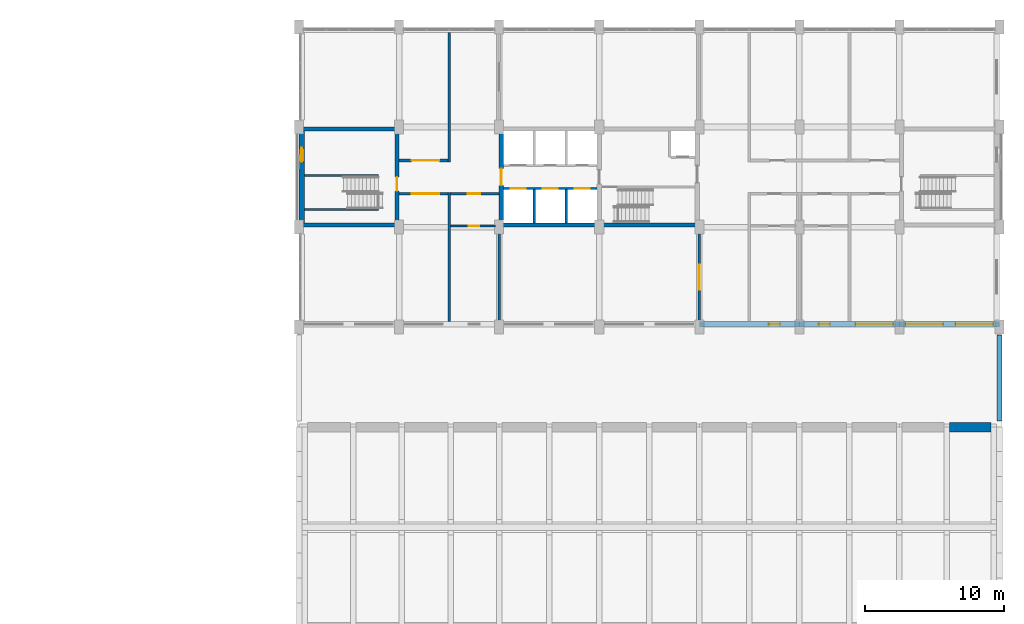
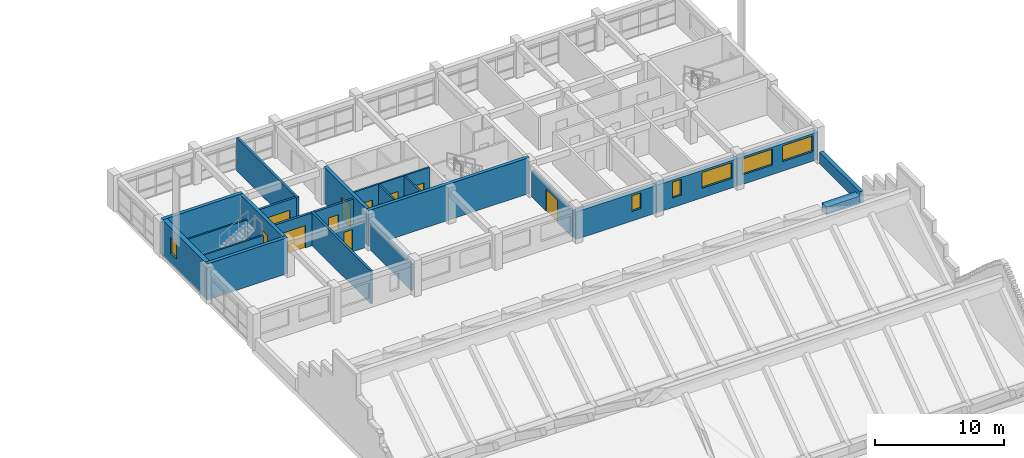
# One storey, part 26 of 31: 24 walls, 10 doors, 6 windows, 16 openings.
"""IFC4 building model written with IfcOpenShell, lengths in metres."""

from ifc_helpers import new_model, si_unit, direction, frame, frame_2d, origin, place, context, subcontext, project, spatial, rectangle, extrude, material, layer, layer_set, type_object, element, fill, save


model = new_model("IFC4")

# Units and contexts
model_context = context("Model", 3, precision=1e-05, world=origin(), true_north=direction((0.0, 1.0)))
body_context = subcontext(model_context, "Body", "Model", "MODEL_VIEW")
ifc_project = project(units=[si_unit("LENGTHUNIT", "METRE"), si_unit("AREAUNIT", "SQUARE_METRE"), si_unit("VOLUMEUNIT", "CUBIC_METRE"), si_unit("PLANEANGLEUNIT", "RADIAN"), si_unit("MASSUNIT", "GRAM", prefix="KILO")], contexts=[model_context])

# Site, building, storey
site_placement = place(None, origin())
site = spatial("IfcSite", under=ifc_project, at=site_placement, CompositionType="ELEMENT")
building_placement = place(site_placement, origin())
building = spatial("IfcBuilding", under=site, at=building_placement, Name="Vermilion Court Aquatics Centre", CompositionType="ELEMENT")
storey_placement = place(building_placement, frame((0.0, 0.0, 16.5)))
storey = spatial("IfcBuildingStorey", under=building, at=storey_placement, Name="L03", CompositionType="ELEMENT", Elevation=16.5)

# Wall, opening, window
ifc_material_1 = material(Name="Brick masonry", Category="masonry")
ifc_layer_1 = layer(ifc_material_1, 0.39990234375)
ifc_layer_set_1 = layer_set([ifc_layer_1], Name="North block brick facade wall 400")
wall_type_1 = type_object("IfcWallType", Name="North block brick facade wall 400", PredefinedType="SOLIDWALL", material=ifc_layer_set_1)
wall_1_placement = place(storey_placement, frame((172.800048828125, 93.800048828125, 0.0), z_axis=(0.0, 0.0, 1.0), x_axis=(1.0, 0.0, 0.0)))
wall_1 = element("IfcWall", 1, at=wall_1_placement, inside=storey, type_object=wall_type_1, Name="Brick facade wall S5 L03", PredefinedType="SOLIDWALL", context=body_context, shape_type="SweptSolid", body=[
    extrude(rectangle(XDim=7.199951171875, YDim=0.39990234375, at=frame_2d((3.60009765625, 0.0))), origin(), (0.0, 0.0, 1.0), 2.60009765625),
])
opening_1_placement = place(wall_1_placement, frame((5.0, 0.0, 0.89990234375)))
opening_1 = element("IfcOpeningElement", 2, at=opening_1_placement, cuts=wall_1, Name="Opening UWN9", PredefinedType="OPENING", context=body_context, shape_type="SweptSolid", body=[
    extrude(rectangle(XDim=0.800048828125, YDim=1.5, at=frame_2d((0.39990234375, 0.75))), frame((0.0, 0.2099609375, 0.0), z_axis=(0.0, -1.0, 0.0), x_axis=(1.0, 0.0, 0.0)), (0.0, 0.0, 1.0), 0.419921875),
])
ifc_material_2 = material(Name="Aluminium 6063-T5", Category="aluminium")
window_type_1 = type_object("IfcWindowType", Name="North block service room window 800x1500", PartitioningType="SINGLE_PANEL", PredefinedType="WINDOW", material=ifc_material_2)
window_1_placement = place(opening_1_placement, origin())
window_1 = element("IfcWindow", 3, at=window_1_placement, inside=storey, type_object=window_type_1, Name="Store window 0305 L03", OverallHeight=1.5, OverallWidth=0.800048828125, PartitioningType="SINGLE_PANEL", PredefinedType="WINDOW", context=body_context, shape_type="SweptSolid", body=[
    extrude(rectangle(XDim=0.800048828125, YDim=1.5, at=frame_2d((0.39990234375, 0.75))), frame((0.0, 0.030029296875, 0.0), z_axis=(0.0, -1.0, 0.0), x_axis=(1.0, 0.0, 0.0)), (0.0, 0.0, 1.0), 0.06005859375),
])
fill(opening_1, window_1)

# Wall, openings, windows
wall_2_placement = place(storey_placement, frame((180.0, 93.800048828125, 0.0), z_axis=(0.0, 0.0, 1.0), x_axis=(1.0, 0.0, 0.0)))
wall_2 = element("IfcWall", 4, at=wall_2_placement, inside=storey, type_object=wall_type_1, Name="Brick facade wall S6 L03", PredefinedType="SOLIDWALL", context=body_context, shape_type="SweptSolid", body=[
    extrude(rectangle(XDim=7.199951171875, YDim=0.39990234375, at=frame_2d((3.60009765625, 0.0))), origin(), (0.0, 0.0, 1.0), 2.60009765625),
])
opening_2_placement = place(wall_2_placement, frame((1.39990234375, 0.0, 0.89990234375)))
opening_2 = element("IfcOpeningElement", 5, at=opening_2_placement, cuts=wall_2, Name="Opening UWN9", PredefinedType="OPENING", context=body_context, shape_type="SweptSolid", body=[
    extrude(rectangle(XDim=0.800048828125, YDim=1.5, at=frame_2d((0.39990234375, 0.75))), frame((0.0, 0.2099609375, 0.0), z_axis=(0.0, -1.0, 0.0), x_axis=(1.0, 0.0, 0.0)), (0.0, 0.0, 1.0), 0.419921875),
])
opening_3_placement = place(wall_2_placement, frame((4.050048828125, 0.0, 0.89990234375)))
opening_3 = element("IfcOpeningElement", 6, at=opening_3_placement, cuts=wall_2, Name="Opening UWN8", PredefinedType="OPENING", context=body_context, shape_type="SweptSolid", body=[
    extrude(rectangle(XDim=2.699951171875, YDim=1.5, at=frame_2d((1.35009765625, 0.75))), frame((0.0, 0.2099609375, 0.0), z_axis=(0.0, -1.0, 0.0), x_axis=(1.0, 0.0, 0.0)), (0.0, 0.0, 1.0), 0.419921875),
])
ifc_material_3 = material(Name="Aluminium 6063-T5", Category="aluminium")
window_type_2 = type_object("IfcWindowType", Name="North block hall window 2700x1500", PartitioningType="TRIPLE_PANEL_VERTICAL", PredefinedType="WINDOW", material=ifc_material_3)
window_2_placement = place(opening_3_placement, origin())
window_2 = element("IfcWindow", 7, at=window_2_placement, inside=storey, type_object=window_type_2, Name="Window s 11 L03", OverallHeight=1.5, OverallWidth=2.699951171875, PartitioningType="TRIPLE_PANEL_VERTICAL", PredefinedType="WINDOW", context=body_context, shape_type="SweptSolid", body=[
    extrude(rectangle(XDim=2.699951171875, YDim=1.5, at=frame_2d((1.35009765625, 0.75))), frame((0.0, 0.030029296875, 0.0), z_axis=(0.0, -1.0, 0.0), x_axis=(1.0, 0.0, 0.0)), (0.0, 0.0, 1.0), 0.06005859375),
])
fill(opening_3, window_2)
window_3_placement = place(opening_2_placement, origin())
window_3 = element("IfcWindow", 8, at=window_3_placement, inside=storey, type_object=window_type_1, Name="Store window 0306 L03", OverallHeight=1.5, OverallWidth=0.800048828125, PartitioningType="SINGLE_PANEL", PredefinedType="WINDOW", context=body_context, shape_type="SweptSolid", body=[
    extrude(rectangle(XDim=0.800048828125, YDim=1.5, at=frame_2d((0.39990234375, 0.75))), frame((0.0, 0.030029296875, 0.0), z_axis=(0.0, -1.0, 0.0), x_axis=(1.0, 0.0, 0.0)), (0.0, 0.0, 1.0), 0.06005859375),
])
fill(opening_2, window_3)

wall_3_placement = place(storey_placement, frame((187.199951171875, 93.800048828125, 0.0), z_axis=(0.0, 0.0, 1.0), x_axis=(1.0, 0.0, 0.0)))
wall_3 = element("IfcWall", 9, at=wall_3_placement, inside=storey, type_object=wall_type_1, Name="Brick facade wall S7 L03", PredefinedType="SOLIDWALL", context=body_context, shape_type="SweptSolid", body=[
    extrude(rectangle(XDim=7.199951171875, YDim=0.39990234375, at=frame_2d((3.60009765625, 0.0))), origin(), (0.0, 0.0, 1.0), 2.60009765625),
])
opening_4_placement = place(wall_3_placement, frame((0.449951171875, 0.0, 0.89990234375)))
opening_4 = element("IfcOpeningElement", 10, at=opening_4_placement, cuts=wall_3, Name="Opening UWN8", PredefinedType="OPENING", context=body_context, shape_type="SweptSolid", body=[
    extrude(rectangle(XDim=2.699951171875, YDim=1.5, at=frame_2d((1.35009765625, 0.75))), frame((0.0, 0.2099609375, 0.0), z_axis=(0.0, -1.0, 0.0), x_axis=(1.0, 0.0, 0.0)), (0.0, 0.0, 1.0), 0.419921875),
])
opening_5_placement = place(wall_3_placement, frame((4.050048828125, 0.0, 0.89990234375)))
opening_5 = element("IfcOpeningElement", 11, at=opening_5_placement, cuts=wall_3, Name="Opening UWN8", PredefinedType="OPENING", context=body_context, shape_type="SweptSolid", body=[
    extrude(rectangle(XDim=2.699951171875, YDim=1.5, at=frame_2d((1.35009765625, 0.75))), frame((0.0, 0.2099609375, 0.0), z_axis=(0.0, -1.0, 0.0), x_axis=(1.0, 0.0, 0.0)), (0.0, 0.0, 1.0), 0.419921875),
])
window_4_placement = place(opening_4_placement, origin())
window_4 = element("IfcWindow", 12, at=window_4_placement, inside=storey, type_object=window_type_2, Name="Window s 12 L03", OverallHeight=1.5, OverallWidth=2.699951171875, PartitioningType="TRIPLE_PANEL_VERTICAL", PredefinedType="WINDOW", context=body_context, shape_type="SweptSolid", body=[
    extrude(rectangle(XDim=2.699951171875, YDim=1.5, at=frame_2d((1.35009765625, 0.75))), frame((0.0, 0.030029296875, 0.0), z_axis=(0.0, -1.0, 0.0), x_axis=(1.0, 0.0, 0.0)), (0.0, 0.0, 1.0), 0.06005859375),
])
fill(opening_4, window_4)
window_5_placement = place(opening_5_placement, origin())
window_5 = element("IfcWindow", 13, at=window_5_placement, inside=storey, type_object=window_type_2, Name="Window s 13 L03", OverallHeight=1.5, OverallWidth=2.699951171875, PartitioningType="TRIPLE_PANEL_VERTICAL", PredefinedType="WINDOW", context=body_context, shape_type="SweptSolid", body=[
    extrude(rectangle(XDim=2.699951171875, YDim=1.5, at=frame_2d((1.35009765625, 0.75))), frame((0.0, 0.030029296875, 0.0), z_axis=(0.0, -1.0, 0.0), x_axis=(1.0, 0.0, 0.0)), (0.0, 0.0, 1.0), 0.06005859375),
])
fill(opening_5, window_5)

# Wall, opening, window
ifc_material_4 = material(Name="Concrete 8000 psi", Category="concrete")
ifc_layer_2 = layer(ifc_material_4, 0.39990234375)
ifc_layer_set_2 = layer_set([ifc_layer_2], Name="North block core brick-faced shear wall 400")
wall_type_2 = type_object("IfcWallType", Name="North block core brick-faced shear wall 400", PredefinedType="SHEAR", material=ifc_layer_set_2)
wall_4_placement = place(storey_placement, frame((144.199951171875, 101.10009765625, 0.0), z_axis=(0.0, 0.0, 1.0), x_axis=(0.0, 1.0, 0.0)))
wall_4 = element("IfcWall", 14, at=wall_4_placement, inside=storey, type_object=wall_type_2, Name="Stair 1 shear wall outer L03", PredefinedType="SHEAR", context=body_context, shape_type="SweptSolid", body=[
    extrude(rectangle(XDim=6.599853515625, YDim=0.39990234375, at=frame_2d((3.2998046875, 0.0))), origin(), (0.0, 0.0, 1.0), 3.39990234375),
])
opening_6_placement = place(wall_4_placement, frame((4.39990234375, 0.0, 1.0)))
opening_6 = element("IfcOpeningElement", 15, at=opening_6_placement, cuts=wall_4, Name="Opening UWN5", PredefinedType="OPENING", context=body_context, shape_type="SweptSolid", body=[
    extrude(rectangle(XDim=1.0, YDim=1.5, at=frame_2d((0.5, 0.75))), frame((0.0, 0.2099609375, 0.0), z_axis=(0.0, -1.0, 0.0), x_axis=(1.0, 0.0, 0.0)), (0.0, 0.0, 1.0), 0.419921875),
])
ifc_material_5 = material(Name="Aluminium 6063-T5", Category="aluminium")
window_type_3 = type_object("IfcWindowType", Name="North block stair window 1000x1500", PartitioningType="SINGLE_PANEL", PredefinedType="WINDOW", material=ifc_material_5)
window_6_placement = place(opening_6_placement, origin())
window_6 = element("IfcWindow", 16, at=window_6_placement, inside=storey, type_object=window_type_3, Name="Stair 1 window", OverallHeight=1.5, OverallWidth=1.0, PartitioningType="SINGLE_PANEL", PredefinedType="WINDOW", context=body_context, shape_type="SweptSolid", body=[
    extrude(rectangle(XDim=1.0, YDim=1.5, at=frame_2d((0.5, 0.75))), frame((0.0, 0.030029296875, 0.0), z_axis=(0.0, -1.0, 0.0), x_axis=(1.0, 0.0, 0.0)), (0.0, 0.0, 1.0), 0.06005859375),
])
fill(opening_6, window_6)

# Wall
ifc_material_6 = material(Name="Concrete 8000 psi", Category="concrete")
ifc_layer_3 = layer(ifc_material_6, 0.300048828125)
ifc_layer_set_3 = layer_set([ifc_layer_3], Name="North block core shear wall 300")
wall_type_3 = type_object("IfcWallType", Name="North block core shear wall 300", PredefinedType="SHEAR", material=ifc_layer_set_3)
wall_5_placement = place(storey_placement, frame((158.39990234375, 100.949951171875, 0.0), z_axis=(0.0, 0.0, 1.0), x_axis=(1.0, 0.0, 0.0)))
element("IfcWall", 17, at=wall_5_placement, inside=storey, type_object=wall_type_3, Name="Core shear wall south L03", PredefinedType="SHEAR", context=body_context, shape_type="SweptSolid", body=[
    extrude(rectangle(XDim=14.400146484375, YDim=0.300048828125, at=frame_2d((7.2001953125, 0.0))), origin(), (0.0, 0.0, 1.0), 3.39990234375),
])

# Wall, opening, door
wall_6_placement = place(storey_placement, frame((158.550048828125, 101.10009765625, 0.0), z_axis=(0.0, 0.0, 1.0), x_axis=(0.0, 1.0, 0.0)))
wall_6 = element("IfcWall", 18, at=wall_6_placement, inside=storey, type_object=wall_type_3, Name="Core shear wall west L03", PredefinedType="SHEAR", context=body_context, shape_type="SweptSolid", body=[
    extrude(rectangle(XDim=6.599853515625, YDim=0.300048828125, at=frame_2d((3.2998046875, 0.0))), origin(), (0.0, 0.0, 1.0), 3.39990234375),
])
opening_7_placement = place(wall_6_placement, frame((2.699951171875, 0.0, 0.0)))
opening_7 = element("IfcOpeningElement", 19, at=opening_7_placement, cuts=wall_6, Name="Opening U03-016", PredefinedType="OPENING", context=body_context, shape_type="SweptSolid", body=[
    extrude(rectangle(XDim=1.199951171875, YDim=2.10009765625, at=frame_2d((0.60009765625, 1.050048828125))), frame((0.0, 0.159912109375, 0.0), z_axis=(0.0, -1.0, 0.0), x_axis=(1.0, 0.0, 0.0)), (0.0, 0.0, 1.0), 0.320068359375),
])
ifc_material_7 = material(Name="Hollow metal")
door_type_1 = type_object("IfcDoorType", Name="North block fire door FD90 1200x2100", OperationType="NOTDEFINED", PredefinedType="DOOR", material=ifc_material_7)
door_1_placement = place(opening_7_placement, origin())
door_1 = element("IfcDoor", 20, at=door_1_placement, inside=storey, type_object=door_type_1, Name="Core lobby door west L03", OperationType="SINGLE_SWING_LEFT", OverallHeight=2.10009765625, OverallWidth=1.199951171875, PredefinedType="DOOR", context=body_context, shape_type="SweptSolid", body=[
    extrude(rectangle(XDim=1.199951171875, YDim=2.10009765625, at=frame_2d((0.60009765625, 1.050048828125))), frame((0.0, 0.02490234375, 0.0), z_axis=(0.0, -1.0, 0.0), x_axis=(1.0, 0.0, 0.0)), (0.0, 0.0, 1.0), 0.050048828125),
])
fill(opening_7, door_1)

# Walls
for number, where, z_axis, x_axis, name in (
    (21, (144.0, 100.949951171875, 0.0), (0.0, 0.0, 1.0), (1.0, 0.0, 0.0), "Stair 1 shear wall south L03"),
    (22, (144.0, 107.85009765625, 0.0), (0.0, 0.0, 1.0), (1.0, 0.0, 0.0), "Stair 1 shear wall north L03"),
):
    element("IfcWall", number, at=place(storey_placement, frame(where, z_axis=z_axis, x_axis=x_axis)), inside=storey, type_object=wall_type_3, Name=name, PredefinedType="SHEAR", context=body_context, shape_type="SweptSolid", body=[
        extrude(rectangle(XDim=7.199951171875, YDim=0.300048828125, at=frame_2d((3.60009765625, 0.0))), origin(), (0.0, 0.0, 1.0), 3.39990234375),
    ])

# Wall, opening, door
wall_7_placement = place(storey_placement, frame((151.050048828125, 101.10009765625, 0.0), z_axis=(0.0, 0.0, 1.0), x_axis=(0.0, 1.0, 0.0)))
wall_7 = element("IfcWall", 23, at=wall_7_placement, inside=storey, type_object=wall_type_3, Name="Stair 1 shear wall inner L03", PredefinedType="SHEAR", context=body_context, shape_type="SweptSolid", body=[
    extrude(rectangle(XDim=6.599853515625, YDim=0.300048828125, at=frame_2d((3.2998046875, 0.0))), origin(), (0.0, 0.0, 1.0), 3.39990234375),
])
opening_8_placement = place(wall_7_placement, frame((2.300048828125, 0.0, 0.0)))
opening_8 = element("IfcOpeningElement", 24, at=opening_8_placement, cuts=wall_7, Name="Opening U03-021", PredefinedType="OPENING", context=body_context, shape_type="SweptSolid", body=[
    extrude(rectangle(XDim=1.0, YDim=2.10009765625, at=frame_2d((0.5, 1.050048828125))), frame((0.0, 0.159912109375, 0.0), z_axis=(0.0, -1.0, 0.0), x_axis=(1.0, 0.0, 0.0)), (0.0, 0.0, 1.0), 0.320068359375),
])
ifc_material_8 = material(Name="Hollow metal")
door_type_2 = type_object("IfcDoorType", Name="North block fire door FD90 1000x2100", OperationType="NOTDEFINED", PredefinedType="DOOR", material=ifc_material_8)
door_2_placement = place(opening_8_placement, origin())
door_2 = element("IfcDoor", 25, at=door_2_placement, inside=storey, type_object=door_type_2, Name="Stair 1 door L03", OperationType="SINGLE_SWING_LEFT", OverallHeight=2.10009765625, OverallWidth=1.0, PredefinedType="DOOR", context=body_context, shape_type="SweptSolid", body=[
    extrude(rectangle(XDim=1.0, YDim=2.10009765625, at=frame_2d((0.5, 1.050048828125))), frame((0.0, 0.02490234375, 0.0), z_axis=(0.0, -1.0, 0.0), x_axis=(1.0, 0.0, 0.0)), (0.0, 0.0, 1.0), 0.050048828125),
])
fill(opening_8, door_2)

# Walls
ifc_material_9 = material(Name="Concrete 5000 psi", Category="concrete")
ifc_layer_4 = layer(ifc_material_9, 0.14990234375)
ifc_layer_set_4 = layer_set([ifc_layer_4], Name="North block lift shaft partition 150")
wall_type_4 = type_object("IfcWallType", Name="North block lift shaft partition 150", PredefinedType="PARTITIONING", material=ifc_layer_set_4)
for number, where, z_axis, x_axis, name in (
    (26, (160.925048828125, 101.10009765625, 0.0), (0.0, 0.0, 1.0), (0.0, 1.0, 0.0), "Lift shaft wall S1 L03"),
    (27, (163.22509765625, 101.10009765625, 0.0), (0.0, 0.0, 1.0), (0.0, 1.0, 0.0), "Lift shaft wall S2 L03"),
):
    element("IfcWall", number, at=place(storey_placement, frame(where, z_axis=z_axis, x_axis=x_axis)), inside=storey, type_object=wall_type_4, Name=name, PredefinedType="PARTITIONING", context=body_context, shape_type="SweptSolid", body=[
        extrude(rectangle(XDim=2.39990234375, YDim=0.14990234375, at=frame_2d((1.199951171875, 0.0))), origin(), (0.0, 0.0, 1.0), 3.39990234375),
    ])

# Wall, openings, doors
wall_8_placement = place(storey_placement, frame((158.699951171875, 103.574951171875, 0.0), z_axis=(0.0, 0.0, 1.0), x_axis=(1.0, 0.0, 0.0)))
wall_8 = element("IfcWall", 28, at=wall_8_placement, inside=storey, type_object=wall_type_4, Name="Lift shaft front wall S L03", PredefinedType="PARTITIONING", context=body_context, shape_type="SweptSolid", body=[
    extrude(rectangle(XDim=6.75, YDim=0.14990234375, at=frame_2d((3.375, 0.0))), origin(), (0.0, 0.0, 1.0), 3.39990234375),
])
opening_9_placement = place(wall_8_placement, frame((0.52490234375, 0.0, 0.0)))
opening_9 = element("IfcOpeningElement", 29, at=opening_9_placement, cuts=wall_8, Name="Opening LD1-03", PredefinedType="OPENING", context=body_context, shape_type="SweptSolid", body=[
    extrude(rectangle(XDim=1.10009765625, YDim=2.10009765625, at=frame_2d((0.550048828125, 1.050048828125))), frame((0.0, 0.0849609375, 0.0), z_axis=(0.0, -1.0, 0.0), x_axis=(1.0, 0.0, 0.0)), (0.0, 0.0, 1.0), 0.169921875),
])
opening_10_placement = place(wall_8_placement, frame((2.824951171875, 0.0, 0.0)))
opening_10 = element("IfcOpeningElement", 30, at=opening_10_placement, cuts=wall_8, Name="Opening LD2-03", PredefinedType="OPENING", context=body_context, shape_type="SweptSolid", body=[
    extrude(rectangle(XDim=1.10009765625, YDim=2.10009765625, at=frame_2d((0.550048828125, 1.050048828125))), frame((0.0, 0.0849609375, 0.0), z_axis=(0.0, -1.0, 0.0), x_axis=(1.0, 0.0, 0.0)), (0.0, 0.0, 1.0), 0.169921875),
])
opening_11_placement = place(wall_8_placement, frame((5.125, 0.0, 0.0)))
opening_11 = element("IfcOpeningElement", 31, at=opening_11_placement, cuts=wall_8, Name="Opening LD3-03", PredefinedType="OPENING", context=body_context, shape_type="SweptSolid", body=[
    extrude(rectangle(XDim=1.10009765625, YDim=2.10009765625, at=frame_2d((0.550048828125, 1.050048828125))), frame((0.0, 0.0849609375, 0.0), z_axis=(0.0, -1.0, 0.0), x_axis=(1.0, 0.0, 0.0)), (0.0, 0.0, 1.0), 0.169921875),
])
ifc_material_10 = material(Name="Hollow metal")
door_type_3 = type_object("IfcDoorType", Name="North block lift landing door 1100x2100", OperationType="DOUBLE_DOOR_SLIDING", PredefinedType="DOOR", material=ifc_material_10)
door_3_placement = place(opening_9_placement, origin())
door_3 = element("IfcDoor", 32, at=door_3_placement, inside=storey, type_object=door_type_3, Name="Lift landing door L1 L03", OperationType="DOUBLE_DOOR_SLIDING", OverallHeight=2.10009765625, OverallWidth=1.10009765625, PredefinedType="DOOR", context=body_context, shape_type="SweptSolid", body=[
    extrude(rectangle(XDim=1.10009765625, YDim=2.10009765625, at=frame_2d((0.550048828125, 1.050048828125))), frame((0.0, 0.02490234375, 0.0), z_axis=(0.0, -1.0, 0.0), x_axis=(1.0, 0.0, 0.0)), (0.0, 0.0, 1.0), 0.050048828125),
])
fill(opening_9, door_3)
door_4_placement = place(opening_10_placement, origin())
door_4 = element("IfcDoor", 33, at=door_4_placement, inside=storey, type_object=door_type_3, Name="Lift landing door L2 L03", OperationType="DOUBLE_DOOR_SLIDING", OverallHeight=2.10009765625, OverallWidth=1.10009765625, PredefinedType="DOOR", context=body_context, shape_type="SweptSolid", body=[
    extrude(rectangle(XDim=1.10009765625, YDim=2.10009765625, at=frame_2d((0.550048828125, 1.050048828125))), frame((0.0, 0.02490234375, 0.0), z_axis=(0.0, -1.0, 0.0), x_axis=(1.0, 0.0, 0.0)), (0.0, 0.0, 1.0), 0.050048828125),
])
fill(opening_10, door_4)
door_5_placement = place(opening_11_placement, origin())
door_5 = element("IfcDoor", 34, at=door_5_placement, inside=storey, type_object=door_type_3, Name="Lift landing door L3 L03", OperationType="DOUBLE_DOOR_SLIDING", OverallHeight=2.10009765625, OverallWidth=1.10009765625, PredefinedType="DOOR", context=body_context, shape_type="SweptSolid", body=[
    extrude(rectangle(XDim=1.10009765625, YDim=2.10009765625, at=frame_2d((0.550048828125, 1.050048828125))), frame((0.0, 0.02490234375, 0.0), z_axis=(0.0, -1.0, 0.0), x_axis=(1.0, 0.0, 0.0)), (0.0, 0.0, 1.0), 0.050048828125),
])
fill(opening_11, door_5)

# Wall, opening, door
ifc_material_11 = material(Name="Concrete masonry ASTM C90 Type I", Category="masonry")
ifc_layer_5 = layer(ifc_material_11, 0.199951171875)
ifc_layer_set_5 = layer_set([ifc_layer_5], Name="North block party wall 200")
wall_type_5 = type_object("IfcWallType", Name="North block party wall 200", PredefinedType="PARTITIONING", material=ifc_layer_set_5)
wall_9_placement = place(storey_placement, frame((151.199951171875, 103.199951171875, 0.0), z_axis=(0.0, 0.0, 1.0), x_axis=(1.0, 0.0, 0.0)))
wall_9 = element("IfcWall", 35, at=wall_9_placement, inside=storey, type_object=wall_type_5, Name="Corridor wall 0301", PredefinedType="PARTITIONING", context=body_context, shape_type="SweptSolid", body=[
    extrude(rectangle(XDim=3.5, YDim=0.199951171875, at=frame_2d((1.75, 0.0))), origin(), (0.0, 0.0, 1.0), 3.10009765625),
])
opening_12_placement = place(wall_9_placement, frame((0.89990234375, 0.0, 0.0)))
opening_12 = element("IfcOpeningElement", 36, at=opening_12_placement, cuts=wall_9, Name="Opening U03-001", PredefinedType="OPENING", context=body_context, shape_type="SweptSolid", body=[
    extrude(rectangle(XDim=2.0, YDim=2.10009765625, at=frame_2d((1.0, 1.050048828125))), frame((0.0, 0.10986328125, 0.0), z_axis=(0.0, -1.0, 0.0), x_axis=(1.0, 0.0, 0.0)), (0.0, 0.0, 1.0), 0.219970703125),
])
ifc_material_12 = material(Name="Timber door leaf", Category="wood")
door_type_4 = type_object("IfcDoorType", Name="North block hall double door 2000x2100", OperationType="DOUBLE_DOOR_SINGLE_SWING", PredefinedType="DOOR", material=ifc_material_12)
door_6_placement = place(opening_12_placement, frame((2.0, 0.0, 0.0), z_axis=(0.0, 0.0, 1.0), x_axis=(-1.0, 0.0, 0.0)))
door_6 = element("IfcDoor", 37, at=door_6_placement, inside=storey, type_object=door_type_4, Name="Hydrotherapy Suite door 0301", OperationType="DOUBLE_DOOR_SINGLE_SWING", OverallHeight=2.10009765625, OverallWidth=2.0, PredefinedType="DOOR", context=body_context, shape_type="SweptSolid", body=[
    extrude(rectangle(XDim=2.0, YDim=2.10009765625, at=frame_2d((1.0, 1.050048828125))), frame((0.0, 0.025146484375, 0.0), z_axis=(0.0, -1.0, 0.0), x_axis=(1.0, 0.0, 0.0)), (0.0, 0.0, 1.0), 0.050048828125),
])
fill(opening_12, door_6)

# Wall
wall_10_placement = place(storey_placement, frame((154.800048828125, 94.0, 0.0), z_axis=(0.0, 0.0, 1.0), x_axis=(0.0, 1.0, 0.0)))
element("IfcWall", 38, at=wall_10_placement, inside=storey, type_object=wall_type_5, Name="Party wall s 3", PredefinedType="PARTITIONING", context=body_context, shape_type="SweptSolid", body=[
    extrude(rectangle(XDim=9.300048828125, YDim=0.199951171875, at=frame_2d((4.64990234375, 0.0))), origin(), (0.0, 0.0, 1.0), 3.10009765625),
])

# Wall, opening, door
wall_11_placement = place(storey_placement, frame((154.89990234375, 103.199951171875, 0.0), z_axis=(0.0, 0.0, 1.0), x_axis=(1.0, 0.0, 0.0)))
wall_11 = element("IfcWall", 39, at=wall_11_placement, inside=storey, type_object=wall_type_5, Name="Corridor wall 0302", PredefinedType="PARTITIONING", context=body_context, shape_type="SweptSolid", body=[
    extrude(rectangle(XDim=3.5, YDim=0.199951171875, at=frame_2d((1.75, 0.0))), origin(), (0.0, 0.0, 1.0), 3.10009765625),
])
opening_13_placement = place(wall_11_placement, frame((1.25, 0.0, 0.0)))
opening_13 = element("IfcOpeningElement", 40, at=opening_13_placement, cuts=wall_11, Name="Opening U03-003", PredefinedType="OPENING", context=body_context, shape_type="SweptSolid", body=[
    extrude(rectangle(XDim=0.89990234375, YDim=2.10009765625, at=frame_2d((0.449951171875, 1.050048828125))), frame((0.0, 0.10986328125, 0.0), z_axis=(0.0, -1.0, 0.0), x_axis=(1.0, 0.0, 0.0)), (0.0, 0.0, 1.0), 0.219970703125),
])
ifc_material_13 = material(Name="Timber door leaf", Category="wood")
door_type_5 = type_object("IfcDoorType", Name="North block room door FD20 900x2100", OperationType="NOTDEFINED", PredefinedType="DOOR", material=ifc_material_13)
door_7_placement = place(opening_13_placement, frame((0.89990234375, 0.0, 0.0), z_axis=(0.0, 0.0, 1.0), x_axis=(-1.0, 0.0, 0.0)))
door_7 = element("IfcDoor", 41, at=door_7_placement, inside=storey, type_object=door_type_5, Name="Accessible WC door 0302", OperationType="SINGLE_SWING_RIGHT", OverallHeight=2.10009765625, OverallWidth=0.89990234375, PredefinedType="DOOR", context=body_context, shape_type="SweptSolid", body=[
    extrude(rectangle(XDim=0.89990234375, YDim=2.10009765625, at=frame_2d((0.449951171875, 1.050048828125))), frame((0.0, 0.025146484375, 0.0), z_axis=(0.0, -1.0, 0.0), x_axis=(1.0, 0.0, 0.0)), (0.0, 0.0, 1.0), 0.050048828125),
])
fill(opening_13, door_7)

# Wall
wall_12_placement = place(storey_placement, frame((158.39990234375, 94.0, 0.0), z_axis=(0.0, 0.0, 1.0), x_axis=(0.0, 1.0, 0.0)))
element("IfcWall", 42, at=wall_12_placement, inside=storey, type_object=wall_type_5, Name="Party wall s 4", PredefinedType="PARTITIONING", context=body_context, shape_type="SweptSolid", body=[
    extrude(rectangle(XDim=6.35009765625, YDim=0.199951171875, at=frame_2d((3.175048828125, 0.0))), origin(), (0.0, 0.0, 1.0), 2.5),
])

# Wall, opening, door
wall_13_placement = place(storey_placement, frame((172.800048828125, 94.0, 0.0), z_axis=(0.0, 0.0, 1.0), x_axis=(0.0, 1.0, 0.0)))
wall_13 = element("IfcWall", 43, at=wall_13_placement, inside=storey, type_object=wall_type_5, Name="Party wall s 8", PredefinedType="PARTITIONING", context=body_context, shape_type="SweptSolid", body=[
    extrude(rectangle(XDim=6.35009765625, YDim=0.199951171875, at=frame_2d((3.175048828125, 0.0))), origin(), (0.0, 0.0, 1.0), 2.5),
])
opening_14_placement = place(wall_13_placement, frame((2.300048828125, 0.0, 0.0)))
opening_14 = element("IfcOpeningElement", 44, at=opening_14_placement, cuts=wall_13, Name="Opening U03-004", PredefinedType="OPENING", context=body_context, shape_type="SweptSolid", body=[
    extrude(rectangle(XDim=1.800048828125, YDim=2.10009765625, at=frame_2d((0.89990234375, 1.050048828125))), frame((0.0, 0.10986328125, 0.0), z_axis=(0.0, -1.0, 0.0), x_axis=(1.0, 0.0, 0.0)), (0.0, 0.0, 1.0), 0.219970703125),
])
ifc_material_14 = material(Name="Timber door leaf", Category="wood")
door_type_6 = type_object("IfcDoorType", Name="North block double door 1800x2100", OperationType="DOUBLE_DOOR_SINGLE_SWING", PredefinedType="DOOR", material=ifc_material_14)
door_8_placement = place(opening_14_placement, origin())
door_8 = element("IfcDoor", 45, at=door_8_placement, inside=storey, type_object=door_type_6, Name="Sports Medicine Clinic door 0303", OperationType="DOUBLE_DOOR_SINGLE_SWING", OverallHeight=2.10009765625, OverallWidth=1.800048828125, PredefinedType="DOOR", context=body_context, shape_type="SweptSolid", body=[
    extrude(rectangle(XDim=1.800048828125, YDim=2.10009765625, at=frame_2d((0.89990234375, 1.050048828125))), frame((0.0, 0.02490234375, 0.0), z_axis=(0.0, -1.0, 0.0), x_axis=(1.0, 0.0, 0.0)), (0.0, 0.0, 1.0), 0.050048828125),
])
fill(opening_14, door_8)

wall_14_placement = place(storey_placement, frame((151.199951171875, 105.60009765625, 0.0), z_axis=(0.0, 0.0, 1.0), x_axis=(1.0, 0.0, 0.0)))
wall_14 = element("IfcWall", 46, at=wall_14_placement, inside=storey, type_object=wall_type_5, Name="Corridor wall 0308", PredefinedType="PARTITIONING", context=body_context, shape_type="SweptSolid", body=[
    extrude(rectangle(XDim=3.5, YDim=0.199951171875, at=frame_2d((1.75, 0.0))), origin(), (0.0, 0.0, 1.0), 3.10009765625),
])
opening_15_placement = place(wall_14_placement, frame((0.89990234375, 0.0, 0.0)))
opening_15 = element("IfcOpeningElement", 47, at=opening_15_placement, cuts=wall_14, Name="Opening U03-010", PredefinedType="OPENING", context=body_context, shape_type="SweptSolid", body=[
    extrude(rectangle(XDim=2.0, YDim=2.10009765625, at=frame_2d((1.0, 1.050048828125))), frame((0.0, 0.10986328125, 0.0), z_axis=(0.0, -1.0, 0.0), x_axis=(1.0, 0.0, 0.0)), (0.0, 0.0, 1.0), 0.219970703125),
])
door_9_placement = place(opening_15_placement, origin())
door_9 = element("IfcDoor", 48, at=door_9_placement, inside=storey, type_object=door_type_4, Name="Hydrotherapy Changing Room door 0308", OperationType="DOUBLE_DOOR_SINGLE_SWING", OverallHeight=2.10009765625, OverallWidth=2.0, PredefinedType="DOOR", context=body_context, shape_type="SweptSolid", body=[
    extrude(rectangle(XDim=2.0, YDim=2.10009765625, at=frame_2d((1.0, 1.050048828125))), frame((0.0, 0.02490234375, 0.0), z_axis=(0.0, -1.0, 0.0), x_axis=(1.0, 0.0, 0.0)), (0.0, 0.0, 1.0), 0.050048828125),
])
fill(opening_15, door_9)

# Wall
wall_15_placement = place(storey_placement, frame((154.800048828125, 105.5, 0.0), z_axis=(0.0, 0.0, 1.0), x_axis=(0.0, 1.0, 0.0)))
element("IfcWall", 49, at=wall_15_placement, inside=storey, type_object=wall_type_5, Name="Party wall n 3", PredefinedType="PARTITIONING", context=body_context, shape_type="SweptSolid", body=[
    extrude(rectangle(XDim=9.300048828125, YDim=0.199951171875, at=frame_2d((4.64990234375, 0.0))), origin(), (0.0, 0.0, 1.0), 3.10009765625),
])

# Wall, opening, door
ifc_material_15 = material(Name="Concrete masonry ASTM C90 Type I", Category="masonry")
ifc_layer_6 = layer(ifc_material_15, 0.1201171875)
ifc_layer_set_6 = layer_set([ifc_layer_6], Name="North block service room partition 120")
wall_type_6 = type_object("IfcWallType", Name="North block service room partition 120", PredefinedType="PARTITIONING", material=ifc_layer_set_6)
wall_16_placement = place(storey_placement, frame((154.89990234375, 100.875, 0.0), z_axis=(0.0, 0.0, 1.0), x_axis=(1.0, 0.0, 0.0)))
wall_16 = element("IfcWall", 50, at=wall_16_placement, inside=storey, type_object=wall_type_6, Name="WC wall 0302", PredefinedType="PARTITIONING", context=body_context, shape_type="SweptSolid", body=[
    extrude(rectangle(XDim=3.22509765625, YDim=0.1201171875, at=frame_2d((1.612548828125, 0.0))), origin(), (0.0, 0.0, 1.0), 2.5),
])
opening_16_placement = place(wall_16_placement, frame((1.324951171875, 0.0, 0.0)))
opening_16 = element("IfcOpeningElement", 51, at=opening_16_placement, cuts=wall_16, Name="Opening U03-002", PredefinedType="OPENING", context=body_context, shape_type="SweptSolid", body=[
    extrude(rectangle(XDim=0.75, YDim=2.10009765625, at=frame_2d((0.375, 1.050048828125))), frame((0.0, 0.070068359375, 0.0), z_axis=(0.0, -1.0, 0.0), x_axis=(1.0, 0.0, 0.0)), (0.0, 0.0, 1.0), 0.14013671875),
])
ifc_material_16 = material(Name="Timber door leaf", Category="wood")
door_type_7 = type_object("IfcDoorType", Name="North block service room door 750x2100", OperationType="NOTDEFINED", PredefinedType="DOOR", material=ifc_material_16)
door_10_placement = place(opening_16_placement, origin())
door_10 = element("IfcDoor", 52, at=door_10_placement, inside=storey, type_object=door_type_7, Name="Cleaner store door 0302", OperationType="SINGLE_SWING_RIGHT", OverallHeight=2.10009765625, OverallWidth=0.75, PredefinedType="DOOR", context=body_context, shape_type="SweptSolid", body=[
    extrude(rectangle(XDim=0.75, YDim=2.10009765625, at=frame_2d((0.375, 1.050048828125))), frame((0.0, 0.02490234375, 0.0), z_axis=(0.0, -1.0, 0.0), x_axis=(1.0, 0.0, 0.0)), (0.0, 0.0, 1.0), 0.050048828125),
])
fill(opening_16, door_10)

# Walls
ifc_material_17 = material(Name="Concrete 5000 psi", Category="concrete")
ifc_layer_7 = layer(ifc_material_17, 0.14990234375)
ifc_layer_set_7 = layer_set([ifc_layer_7], Name="North block stair lane wall 150")
wall_type_7 = type_object("IfcWallType", Name="North block stair lane wall 150", PredefinedType="SHEAR", material=ifc_layer_set_7)
for number, where, z_axis, x_axis, name in (
    (53, (144.39990234375, 102.054931640625, 0.0), (0.0, 0.0, 1.0), (1.0, 0.0, 0.0), "Stair 1 lane wall south L03"),
    (54, (144.39990234375, 104.5048828125, 0.0), (0.0, 0.0, 1.0), (1.0, 0.0, 0.0), "Stair 1 lane wall north L03"),
):
    element("IfcWall", number, at=place(storey_placement, frame(where, z_axis=z_axis, x_axis=x_axis)), inside=storey, type_object=wall_type_7, Name=name, PredefinedType="SHEAR", context=body_context, shape_type="SweptSolid", body=[
        extrude(rectangle(XDim=5.300048828125, YDim=0.14990234375, at=frame_2d((2.64990234375, 0.0))), origin(), (0.0, 0.0, 1.0), 3.39990234375),
    ])
ifc_material_18 = material(Name="Brick masonry", Category="masonry")
ifc_layer_8 = layer(ifc_material_18, 0.35009765625)
ifc_layer_set_8 = layer_set([ifc_layer_8], Name="Podium parapet brick wall 350")
wall_type_8 = type_object("IfcWallType", Name="Podium parapet brick wall 350", PredefinedType="PARAPET", material=ifc_layer_set_8)
wall_17_placement = place(storey_placement, frame((194.39990234375, 86.85009765625, 0.0), z_axis=(0.0, 0.0, 1.0), x_axis=(0.0, 1.0, 0.0)))
element("IfcWall", 55, at=wall_17_placement, inside=storey, type_object=wall_type_8, Name="Roof parapet", PredefinedType="PARAPET", context=body_context, shape_type="SweptSolid", body=[
    extrude(rectangle(XDim=6.199951171875, YDim=0.35009765625, at=frame_2d((3.10009765625, 0.0))), origin(), (0.0, 0.0, 1.0), 1.10009765625),
])
ifc_material_19 = material(Name="Brick masonry", Category="masonry")
ifc_layer_9 = layer(ifc_material_19, 0.699951171875)
ifc_layer_set_9 = layer_set([ifc_layer_9], Name="Podium valley upstand wall 700")
wall_type_9 = type_object("IfcWallType", Name="Podium valley upstand wall 700", PredefinedType="SOLIDWALL", material=ifc_layer_set_9)
wall_18_placement = place(storey_placement, frame((190.800048828125, 86.39990234375, 0.60009765625), z_axis=(0.0, 0.0, 1.0), x_axis=(1.0, 0.0, 0.0)))
element("IfcWall", 56, at=wall_18_placement, inside=storey, type_object=wall_type_9, Name="Valley upstand wall", PredefinedType="SOLIDWALL", context=body_context, shape_type="SweptSolid", body=[
    extrude(rectangle(XDim=3.0, YDim=0.699951171875, at=frame_2d((1.5, 0.0))), origin(), (0.0, 0.0, 1.0), 0.72998046875),
])

save(model, "model.ifc")
